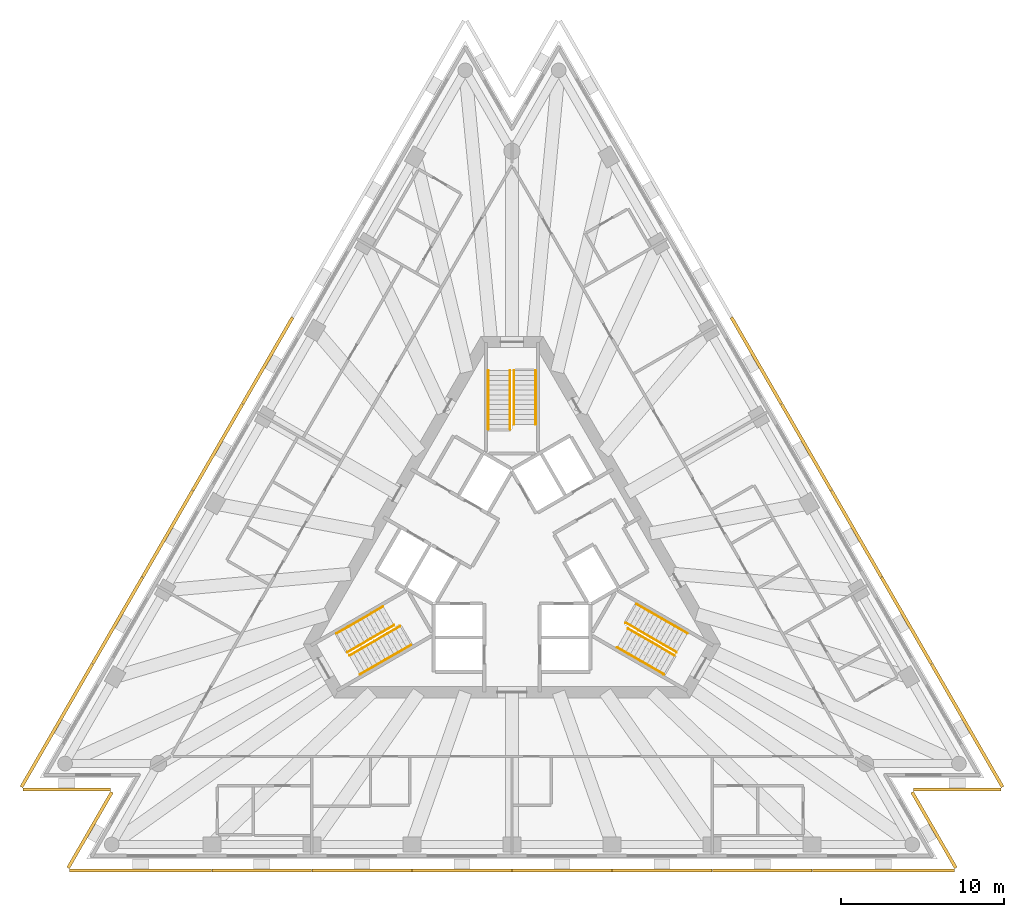
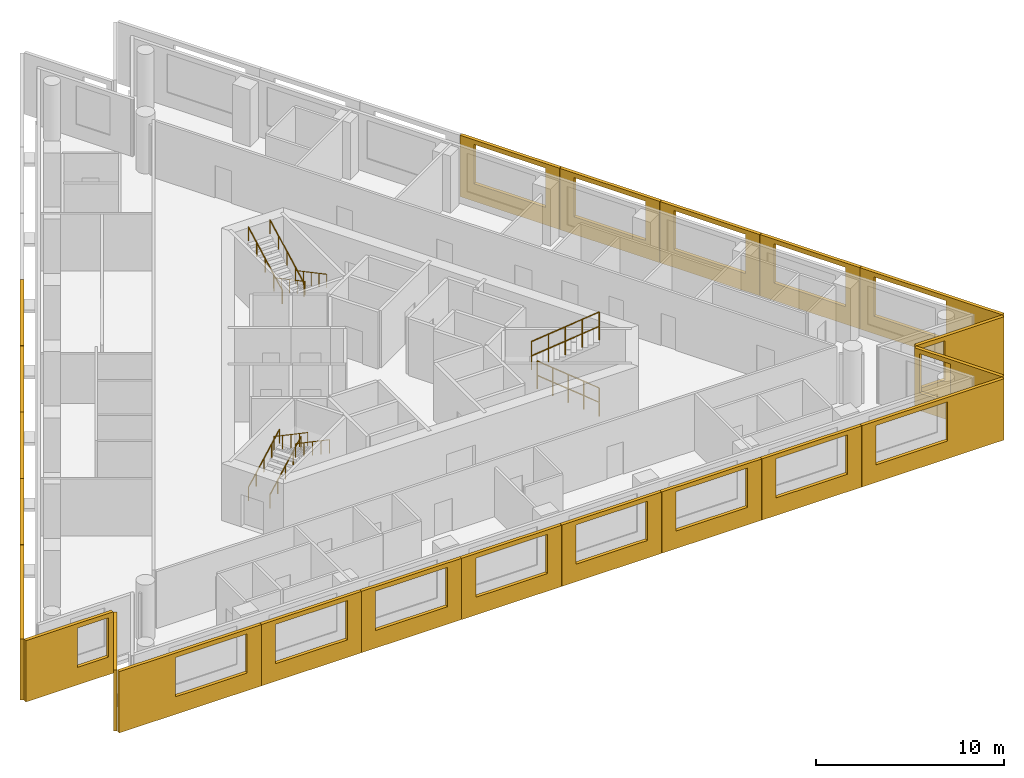
# One storey, part 8 of 9: 22 shading devices, 12 railings, 3 elements without a shape of their own.
"""IFC4 building model written with IfcOpenShell, lengths in metres."""

from ifc_helpers import new_model, si_unit, direction, frame, origin, origin_2d, place, context, subcontext, project, spatial, polyline, circle, outline, extrude, material, layer, layer_set, type_object, element, aggregate, save


model = new_model("IFC4")

# Units and contexts
model_context = context("Model", 3, precision=1e-05, world=origin(), true_north=direction((0.0, 1.0)))
body_context = subcontext(model_context, "Body", "Model", "MODEL_VIEW")
ifc_project = project(units=[si_unit("LENGTHUNIT", "METRE"), si_unit("AREAUNIT", "SQUARE_METRE"), si_unit("VOLUMEUNIT", "CUBIC_METRE"), si_unit("PLANEANGLEUNIT", "RADIAN"), si_unit("MASSUNIT", "GRAM", prefix="KILO")], contexts=[model_context])

# Site, building, storey
site_placement = place(None, origin())
site = spatial("IfcSite", under=ifc_project, at=site_placement, CompositionType="ELEMENT")
building_placement = place(site_placement, origin())
building = spatial("IfcBuilding", under=site, at=building_placement, Name="Triada Interchange Tower", CompositionType="ELEMENT")
storey_placement = place(building_placement, frame((0.0, 0.0, 203.300048828125)))
storey = spatial("IfcBuildingStorey", under=building, at=storey_placement, Name="L47", CompositionType="ELEMENT", Elevation=203.300048828125)

# Shading devices
ifc_material_1 = material(Name="Concrete C50/60 precast", Category="concrete")
ifc_layer_1 = layer(ifc_material_1, 0.02001953125, Name="Exposed aggregate face")
ifc_layer_2 = layer(ifc_material_1, 0.179931640625, Name="Precast concrete screen")
ifc_layer_set = layer_set([ifc_layer_1, ifc_layer_2], Name="Outer skin screen panel 3980")
shading_device_type = type_object("IfcShadingDeviceType", Name="Outer skin screen panel 3980", PredefinedType="SHUTTER", material=ifc_layer_set)
shading_device_1_placement = place(storey_placement, frame((-13.388916015625, 14.81298828125, -0.2900390625), z_axis=(0.0, 0.0, 1.0), x_axis=(-0.500160695909, -0.865932606077, 0.0)))
element("IfcShadingDevice", 1, at=shading_device_1_placement, inside=storey, type_object=shading_device_type, Name="Outer skin screen panel L47 04", PredefinedType="SHUTTER", context=body_context, shape_type="SweptSolid", body=[
    extrude(outline(polyline([(0.0, 0.0), (6.1240234375, 0.0), (6.1240234375, 3.97998046875), (0.0, 3.97998046875), (0.0, 0.0)]), holes=[polyline([(0.862060546875, 1.139892578125), (0.862060546875, 3.68994140625), (5.261962890625, 3.68994140625), (5.261962890625, 1.139892578125), (0.862060546875, 1.139892578125)])]), frame((0.0, 0.0, 0.0), z_axis=(0.0, -1.0, 0.0), x_axis=(1.0, 0.0, 0.0)), (0.0, 0.0, 1.0), 0.199951171875),
])
shading_device_2_placement = place(storey_placement, frame((-16.4619140625, 9.491943359375, -0.2900390625), z_axis=(0.0, 0.0, 1.0), x_axis=(-0.500041108788, -0.866001668314, 0.0)))
element("IfcShadingDevice", 2, at=shading_device_2_placement, inside=storey, type_object=shading_device_type, Name="Outer skin screen panel L47 05", PredefinedType="SHUTTER", context=body_context, shape_type="SweptSolid", body=[
    extrude(outline(polyline([(0.0, 0.0), (6.12353515625, 0.0), (6.12353515625, 3.97998046875), (0.0, 3.97998046875), (0.0, 0.0)]), holes=[polyline([(0.86181640625, 1.139892578125), (0.86181640625, 3.68994140625), (5.26171875, 3.68994140625), (5.26171875, 1.139892578125), (0.86181640625, 1.139892578125)])]), frame((0.0, 0.0, 0.0), z_axis=(0.0, -1.0, 0.0), x_axis=(1.0, 0.0, 0.0)), (0.0, 0.0, 1.0), 0.199951171875),
])
shading_device_3_placement = place(storey_placement, frame((-19.533935546875, 4.1708984375, -0.2900390625), z_axis=(0.0, 0.0, 1.0), x_axis=(-0.500041108788, -0.866001668314, 0.0)))
element("IfcShadingDevice", 3, at=shading_device_3_placement, inside=storey, type_object=shading_device_type, Name="Outer skin screen panel L47 06", PredefinedType="SHUTTER", context=body_context, shape_type="SweptSolid", body=[
    extrude(outline(polyline([(0.0, 0.0), (6.12353515625, 0.0), (6.12353515625, 3.97998046875), (0.0, 3.97998046875), (0.0, 0.0)]), holes=[polyline([(0.861572265625, 1.139892578125), (0.861572265625, 3.68994140625), (5.26171875, 3.68994140625), (5.26171875, 1.139892578125), (0.861572265625, 1.139892578125)])]), frame((0.0, 0.0, 0.0), z_axis=(0.0, -1.0, 0.0), x_axis=(1.0, 0.0, 0.0)), (0.0, 0.0, 1.0), 0.199951171875),
])
shading_device_4_placement = place(storey_placement, frame((-22.60595703125, -1.14990234375, -0.2900390625), z_axis=(0.0, 0.0, 1.0), x_axis=(-0.500041108788, -0.866001668314, 0.0)))
element("IfcShadingDevice", 4, at=shading_device_4_placement, inside=storey, type_object=shading_device_type, Name="Outer skin screen panel L47 07", PredefinedType="SHUTTER", context=body_context, shape_type="SweptSolid", body=[
    extrude(outline(polyline([(0.0, 0.0), (6.12353515625, 0.0), (6.12353515625, 3.97998046875), (0.0, 3.97998046875), (0.0, 0.0)]), holes=[polyline([(0.8623046875, 1.139892578125), (0.8623046875, 3.68994140625), (5.262451171875, 3.68994140625), (5.262451171875, 1.139892578125), (0.8623046875, 1.139892578125)])]), frame((0.0, 0.0, 0.0), z_axis=(0.0, -1.0, 0.0), x_axis=(1.0, 0.0, 0.0)), (0.0, 0.0, 1.0), 0.199951171875),
])
shading_device_5_placement = place(storey_placement, frame((-25.677978515625, -6.470947265625, -0.2900390625), z_axis=(0.0, 0.0, 1.0), x_axis=(-0.500031800419, -0.866007043025, 0.0)))
element("IfcShadingDevice", 5, at=shading_device_5_placement, inside=storey, type_object=shading_device_type, Name="Outer skin screen panel L47 08", PredefinedType="SHUTTER", context=body_context, shape_type="SweptSolid", body=[
    extrude(outline(polyline([(0.0, 0.0), (8.7216796875, 0.0), (8.7216796875, 3.97998046875), (0.0, 3.97998046875), (0.0, 0.0)]), holes=[polyline([(0.8623046875, 1.139892578125), (0.8623046875, 3.68994140625), (5.26220703125, 3.68994140625), (5.26220703125, 1.139892578125), (0.8623046875, 1.139892578125)])]), frame((0.0, 0.0, 0.0), z_axis=(0.0, -1.0, 0.0), x_axis=(1.0, 0.0, 0.0)), (0.0, 0.0, 1.0), 0.199951171875),
])
shading_device_6_placement = place(storey_placement, frame((-30.033935546875, -14.032958984375, -0.2900390625), z_axis=(0.0, 0.0, 1.0), x_axis=(1.0, 0.0, 0.0)))
element("IfcShadingDevice", 6, at=shading_device_6_placement, inside=storey, type_object=shading_device_type, Name="Outer skin screen panel L47 09", PredefinedType="SHUTTER", context=body_context, shape_type="SweptSolid", body=[
    extrude(outline(polyline([(0.0, 0.0), (5.370849609375, 0.0), (5.370849609375, 3.97998046875), (0.0, 3.97998046875), (0.0, 0.0)]), holes=[polyline([(3.175048828125, 1.139892578125), (3.175048828125, 3.68994140625), (5.071044921875, 3.68994140625), (5.071044921875, 1.139892578125), (3.175048828125, 1.139892578125)])]), frame((0.0, 0.0, 0.0), z_axis=(0.0, -1.0, 0.0), x_axis=(1.0, 0.0, 0.0)), (0.0, 0.0, 1.0), 0.199951171875),
])
shading_device_7_placement = place(storey_placement, frame((-24.485107421875, -14.342041015625, -0.2900390625), z_axis=(0.0, 0.0, 1.0), x_axis=(-0.499948082557, -0.866055376259, 0.0)))
element("IfcShadingDevice", 7, at=shading_device_7_placement, inside=storey, type_object=shading_device_type, Name="Outer skin screen panel L47 10", PredefinedType="SHUTTER", context=body_context, shape_type="SweptSolid", body=[
    extrude(outline(polyline([(0.0, 0.0), (5.3701171875, 0.0), (5.3701171875, 3.97998046875), (0.0, 3.97998046875), (0.0, 0.0)]), holes=[polyline([(0.300048828125, 1.139892578125), (0.300048828125, 3.68994140625), (1.7578125, 3.68994140625), (1.7578125, 1.139892578125), (0.300048828125, 1.139892578125)])]), frame((0.0, 0.0, 0.0), z_axis=(0.0, -1.0, 0.0), x_axis=(1.0, 0.0, 0.0)), (0.0, 0.0, 1.0), 0.199951171875),
])
shading_device_8_placement = place(storey_placement, frame((-27.1650390625, -19.001953125, -0.2900390625), z_axis=(0.0, 0.0, 1.0), x_axis=(1.0, 0.0, 0.0)))
element("IfcShadingDevice", 8, at=shading_device_8_placement, inside=storey, type_object=shading_device_type, Name="Outer skin screen panel L47 11", PredefinedType="SHUTTER", context=body_context, shape_type="SweptSolid", body=[
    extrude(outline(polyline([(0.0, 0.0), (8.721923828125, 0.0), (8.721923828125, 3.97998046875), (0.0, 3.97998046875), (0.0, 0.0)]), holes=[polyline([(3.4599609375, 1.139892578125), (3.4599609375, 3.68994140625), (7.860107421875, 3.68994140625), (7.860107421875, 1.139892578125), (3.4599609375, 1.139892578125)])]), frame((0.0, 0.0, 0.0), z_axis=(0.0, -1.0, 0.0), x_axis=(1.0, 0.0, 0.0)), (0.0, 0.0, 1.0), 0.199951171875),
])
shading_device_9_placement = place(storey_placement, frame((-18.423095703125, -19.001953125, -0.2900390625), z_axis=(0.0, 0.0, 1.0), x_axis=(1.0, 0.0, 0.0)))
element("IfcShadingDevice", 9, at=shading_device_9_placement, inside=storey, type_object=shading_device_type, Name="Outer skin screen panel L47 12", PredefinedType="SHUTTER", context=body_context, shape_type="SweptSolid", body=[
    extrude(outline(polyline([(0.0, 0.0), (6.125, 0.0), (6.125, 3.97998046875), (0.0, 3.97998046875), (0.0, 0.0)]), holes=[polyline([(0.86181640625, 1.139892578125), (0.86181640625, 3.68994140625), (5.26171875, 3.68994140625), (5.26171875, 1.139892578125), (0.86181640625, 1.139892578125)])]), frame((0.0, 0.0, 0.0), z_axis=(0.0, -1.0, 0.0), x_axis=(1.0, 0.0, 0.0)), (0.0, 0.0, 1.0), 0.199951171875),
])
shading_device_10_placement = place(storey_placement, frame((-12.279052734375, -19.001953125, -0.2900390625), z_axis=(0.0, 0.0, 1.0), x_axis=(1.0, 0.0, 0.0)))
element("IfcShadingDevice", 10, at=shading_device_10_placement, inside=storey, type_object=shading_device_type, Name="Outer skin screen panel L47 13", PredefinedType="SHUTTER", context=body_context, shape_type="SweptSolid", body=[
    extrude(outline(polyline([(0.0, 0.0), (6.125, 0.0), (6.125, 3.97998046875), (0.0, 3.97998046875), (0.0, 0.0)]), holes=[polyline([(0.862548828125, 1.139892578125), (0.862548828125, 3.68994140625), (5.262451171875, 3.68994140625), (5.262451171875, 1.139892578125), (0.862548828125, 1.139892578125)])]), frame((0.0, 0.0, 0.0), z_axis=(0.0, -1.0, 0.0), x_axis=(1.0, 0.0, 0.0)), (0.0, 0.0, 1.0), 0.199951171875),
])
shading_device_11_placement = place(storey_placement, frame((-6.134033203125, -19.001953125, -0.2900390625), z_axis=(0.0, 0.0, 1.0), x_axis=(1.0, 0.0, 0.0)))
element("IfcShadingDevice", 11, at=shading_device_11_placement, inside=storey, type_object=shading_device_type, Name="Outer skin screen panel L47 14", PredefinedType="SHUTTER", context=body_context, shape_type="SweptSolid", body=[
    extrude(outline(polyline([(0.0, 0.0), (6.1240234375, 0.0), (6.1240234375, 3.97998046875), (0.0, 3.97998046875), (0.0, 0.0)]), holes=[polyline([(0.8623046875, 1.139892578125), (0.8623046875, 3.68994140625), (5.26220703125, 3.68994140625), (5.26220703125, 1.139892578125), (0.8623046875, 1.139892578125)])]), frame((0.0, 0.0, 0.0), z_axis=(0.0, -1.0, 0.0), x_axis=(1.0, 0.0, 0.0)), (0.0, 0.0, 1.0), 0.199951171875),
])
shading_device_12_placement = place(storey_placement, frame((0.010009765625, -19.001953125, -0.2900390625), z_axis=(0.0, 0.0, 1.0), x_axis=(1.0, 0.0, 0.0)))
element("IfcShadingDevice", 12, at=shading_device_12_placement, inside=storey, type_object=shading_device_type, Name="Outer skin screen panel L47 15", PredefinedType="SHUTTER", context=body_context, shape_type="SweptSolid", body=[
    extrude(outline(polyline([(0.0, 0.0), (6.1240234375, 0.0), (6.1240234375, 3.97998046875), (0.0, 3.97998046875), (0.0, 0.0)]), holes=[polyline([(0.862060546875, 1.139892578125), (0.862060546875, 3.68994140625), (5.261962890625, 3.68994140625), (5.261962890625, 1.139892578125), (0.862060546875, 1.139892578125)])]), frame((0.0, 0.0, 0.0), z_axis=(0.0, -1.0, 0.0), x_axis=(1.0, 0.0, 0.0)), (0.0, 0.0, 1.0), 0.199951171875),
])
shading_device_13_placement = place(storey_placement, frame((6.154052734375, -19.001953125, -0.2900390625), z_axis=(0.0, 0.0, 1.0), x_axis=(1.0, 0.0, 0.0)))
element("IfcShadingDevice", 13, at=shading_device_13_placement, inside=storey, type_object=shading_device_type, Name="Outer skin screen panel L47 16", PredefinedType="SHUTTER", context=body_context, shape_type="SweptSolid", body=[
    extrude(outline(polyline([(0.0, 0.0), (6.125, 0.0), (6.125, 3.97998046875), (0.0, 3.97998046875), (0.0, 0.0)]), holes=[polyline([(0.86181640625, 1.139892578125), (0.86181640625, 3.68994140625), (5.26171875, 3.68994140625), (5.26171875, 1.139892578125), (0.86181640625, 1.139892578125)])]), frame((0.0, 0.0, 0.0), z_axis=(0.0, -1.0, 0.0), x_axis=(1.0, 0.0, 0.0)), (0.0, 0.0, 1.0), 0.199951171875),
])
shading_device_14_placement = place(storey_placement, frame((12.298095703125, -19.001953125, -0.2900390625), z_axis=(0.0, 0.0, 1.0), x_axis=(1.0, 0.0, 0.0)))
element("IfcShadingDevice", 14, at=shading_device_14_placement, inside=storey, type_object=shading_device_type, Name="Outer skin screen panel L47 17", PredefinedType="SHUTTER", context=body_context, shape_type="SweptSolid", body=[
    extrude(outline(polyline([(0.0, 0.0), (6.125, 0.0), (6.125, 3.97998046875), (0.0, 3.97998046875), (0.0, 0.0)]), holes=[polyline([(0.862548828125, 1.139892578125), (0.862548828125, 3.68994140625), (5.262451171875, 3.68994140625), (5.262451171875, 1.139892578125), (0.862548828125, 1.139892578125)])]), frame((0.0, 0.0, 0.0), z_axis=(0.0, -1.0, 0.0), x_axis=(1.0, 0.0, 0.0)), (0.0, 0.0, 1.0), 0.199951171875),
])
shading_device_15_placement = place(storey_placement, frame((18.443115234375, -19.001953125, -0.2900390625), z_axis=(0.0, 0.0, 1.0), x_axis=(1.0, 0.0, 0.0)))
element("IfcShadingDevice", 15, at=shading_device_15_placement, inside=storey, type_object=shading_device_type, Name="Outer skin screen panel L47 18", PredefinedType="SHUTTER", context=body_context, shape_type="SweptSolid", body=[
    extrude(outline(polyline([(0.0, 0.0), (8.721923828125, 0.0), (8.721923828125, 3.97998046875), (0.0, 3.97998046875), (0.0, 0.0)]), holes=[polyline([(0.8623046875, 1.139892578125), (0.8623046875, 3.68994140625), (5.26220703125, 3.68994140625), (5.26220703125, 1.139892578125), (0.8623046875, 1.139892578125)])]), frame((0.0, 0.0, 0.0), z_axis=(0.0, -1.0, 0.0), x_axis=(1.0, 0.0, 0.0)), (0.0, 0.0, 1.0), 0.199951171875),
])
shading_device_16_placement = place(storey_placement, frame((27.169921875, -18.992919921875, -0.2900390625), z_axis=(0.0, 0.0, 1.0), x_axis=(-0.499948082557, 0.866055376259, 0.0)))
element("IfcShadingDevice", 16, at=shading_device_16_placement, inside=storey, type_object=shading_device_type, Name="Outer skin screen panel L47 19", PredefinedType="SHUTTER", context=body_context, shape_type="SweptSolid", body=[
    extrude(outline(polyline([(0.0, 0.0), (5.3701171875, 0.0), (5.3701171875, 3.97998046875), (0.0, 3.97998046875), (0.0, 0.0)]), holes=[polyline([(3.17529296875, 1.139892578125), (3.17529296875, 3.68994140625), (5.071044921875, 3.68994140625), (5.071044921875, 1.139892578125), (3.17529296875, 1.139892578125)])]), frame((0.0, 0.0, 0.0), z_axis=(0.0, -1.0, 0.0), x_axis=(1.0, 0.0, 0.0)), (0.0, 0.0, 1.0), 0.199951171875),
])
shading_device_17_placement = place(storey_placement, frame((24.6630859375, -14.032958984375, -0.2900390625), z_axis=(0.0, 0.0, 1.0), x_axis=(1.0, 0.0, 0.0)))
element("IfcShadingDevice", 17, at=shading_device_17_placement, inside=storey, type_object=shading_device_type, Name="Outer skin screen panel L47 20", PredefinedType="SHUTTER", context=body_context, shape_type="SweptSolid", body=[
    extrude(outline(polyline([(0.0, 0.0), (5.370849609375, 0.0), (5.370849609375, 3.97998046875), (0.0, 3.97998046875), (0.0, 0.0)]), holes=[polyline([(0.300048828125, 1.139892578125), (0.300048828125, 3.68994140625), (1.758056640625, 3.68994140625), (1.758056640625, 1.139892578125), (0.300048828125, 1.139892578125)])]), frame((0.0, 0.0, 0.0), z_axis=(0.0, -1.0, 0.0), x_axis=(1.0, 0.0, 0.0)), (0.0, 0.0, 1.0), 0.199951171875),
])
shading_device_18_placement = place(storey_placement, frame((30.0390625, -14.02392578125, -0.2900390625), z_axis=(0.0, 0.0, 1.0), x_axis=(-0.500031800419, 0.866007043025, 0.0)))
element("IfcShadingDevice", 18, at=shading_device_18_placement, inside=storey, type_object=shading_device_type, Name="Outer skin screen panel L47 21", PredefinedType="SHUTTER", context=body_context, shape_type="SweptSolid", body=[
    extrude(outline(polyline([(0.0, 0.0), (8.7216796875, 0.0), (8.7216796875, 3.97998046875), (0.0, 3.97998046875), (0.0, 0.0)]), holes=[polyline([(3.460205078125, 1.139892578125), (3.460205078125, 3.68994140625), (7.8603515625, 3.68994140625), (7.8603515625, 1.139892578125), (3.460205078125, 1.139892578125)])]), frame((0.0, 0.0, 0.0), z_axis=(0.0, -1.0, 0.0), x_axis=(1.0, 0.0, 0.0)), (0.0, 0.0, 1.0), 0.199951171875),
])
shading_device_19_placement = place(storey_placement, frame((25.66796875, -6.452880859375, -0.2900390625), z_axis=(0.0, 0.0, 1.0), x_axis=(-0.500041108788, 0.866001668314, 0.0)))
element("IfcShadingDevice", 19, at=shading_device_19_placement, inside=storey, type_object=shading_device_type, Name="Outer skin screen panel L47 22", PredefinedType="SHUTTER", context=body_context, shape_type="SweptSolid", body=[
    extrude(outline(polyline([(0.0, 0.0), (6.12353515625, 0.0), (6.12353515625, 3.97998046875), (0.0, 3.97998046875), (0.0, 0.0)]), holes=[polyline([(0.862060546875, 1.139892578125), (0.862060546875, 3.68994140625), (5.261962890625, 3.68994140625), (5.261962890625, 1.139892578125), (0.862060546875, 1.139892578125)])]), frame((0.0, 0.0, 0.0), z_axis=(0.0, -1.0, 0.0), x_axis=(1.0, 0.0, 0.0)), (0.0, 0.0, 1.0), 0.199951171875),
])
shading_device_20_placement = place(storey_placement, frame((22.595947265625, -1.132080078125, -0.2900390625), z_axis=(0.0, 0.0, 1.0), x_axis=(-0.500041108788, 0.866001668314, 0.0)))
element("IfcShadingDevice", 20, at=shading_device_20_placement, inside=storey, type_object=shading_device_type, Name="Outer skin screen panel L47 23", PredefinedType="SHUTTER", context=body_context, shape_type="SweptSolid", body=[
    extrude(outline(polyline([(0.0, 0.0), (6.12353515625, 0.0), (6.12353515625, 3.97998046875), (0.0, 3.97998046875), (0.0, 0.0)]), holes=[polyline([(0.86181640625, 1.139892578125), (0.86181640625, 3.68994140625), (5.261962890625, 3.68994140625), (5.261962890625, 1.139892578125), (0.86181640625, 1.139892578125)])]), frame((0.0, 0.0, 0.0), z_axis=(0.0, -1.0, 0.0), x_axis=(1.0, 0.0, 0.0)), (0.0, 0.0, 1.0), 0.199951171875),
])
shading_device_21_placement = place(storey_placement, frame((19.52392578125, 4.18896484375, -0.2900390625), z_axis=(0.0, 0.0, 1.0), x_axis=(-0.500041108788, 0.866001668314, 0.0)))
element("IfcShadingDevice", 21, at=shading_device_21_placement, inside=storey, type_object=shading_device_type, Name="Outer skin screen panel L47 24", PredefinedType="SHUTTER", context=body_context, shape_type="SweptSolid", body=[
    extrude(outline(polyline([(0.0, 0.0), (6.12353515625, 0.0), (6.12353515625, 3.97998046875), (0.0, 3.97998046875), (0.0, 0.0)]), holes=[polyline([(0.86181640625, 1.139892578125), (0.86181640625, 3.68994140625), (5.26171875, 3.68994140625), (5.26171875, 1.139892578125), (0.86181640625, 1.139892578125)])]), frame((0.0, 0.0, 0.0), z_axis=(0.0, -1.0, 0.0), x_axis=(1.0, 0.0, 0.0)), (0.0, 0.0, 1.0), 0.199951171875),
])
shading_device_22_placement = place(storey_placement, frame((16.451904296875, 9.510009765625, -0.2900390625), z_axis=(0.0, 0.0, 1.0), x_axis=(-0.500160695909, 0.865932606077, 0.0)))
element("IfcShadingDevice", 22, at=shading_device_22_placement, inside=storey, type_object=shading_device_type, Name="Outer skin screen panel L47 25", PredefinedType="SHUTTER", context=body_context, shape_type="SweptSolid", body=[
    extrude(outline(polyline([(0.0, 0.0), (6.1240234375, 0.0), (6.1240234375, 3.97998046875), (0.0, 3.97998046875), (0.0, 0.0)]), holes=[polyline([(0.862548828125, 1.139892578125), (0.862548828125, 3.68994140625), (5.262451171875, 3.68994140625), (5.262451171875, 1.139892578125), (0.862548828125, 1.139892578125)])]), frame((0.0, 0.0, 0.0), z_axis=(0.0, -1.0, 0.0), x_axis=(1.0, 0.0, 0.0)), (0.0, 0.0, 1.0), 0.199951171875),
])

# Stair, railings
ifc_material_2 = material(Name="Concrete C35/45", Category="concrete")
stair_type = type_object("IfcStairType", Name="HALF TURN STAIR 1400", PredefinedType="HALF_TURN_STAIR", material=ifc_material_2)
stair_1_placement = place(storey_placement, origin())
stair_1 = element("IfcStair", 23, at=stair_1_placement, inside=storey, type_object=stair_type, Name="Exit stair S47-1", PredefinedType="HALF_TURN_STAIR")
ifc_material_3 = material(Name="Stainless steel 1.4301", Category="steel")
railing_type = type_object("IfcRailingType", Name="STAIR HANDRAIL 900", PredefinedType="HANDRAIL", material=ifc_material_3)
railing_1_placement = place(storey_placement, frame((1.449951171875, 11.60009765625, 0.159912109375)))
railing_1 = element("IfcRailing", 24, at=railing_1_placement, type_object=railing_type, Name="Handrail S47-1 1W", PredefinedType="HANDRAIL", context=body_context, shape_type="SweptSolid", body=[
    extrude(circle(Radius=0.02392578125, at=origin_2d()), frame((0.0, 0.0, 0.8759765625), z_axis=(0.0, -0.882354748157, 0.47058484719), x_axis=(1.0, 0.0, 0.0)), (0.0, 0.0, 1.0), 3.739990234375),
    extrude(circle(Radius=0.02099609375, at=origin_2d()), origin(), (0.0, 0.0, 1.0), 0.851806640625),
    extrude(circle(Radius=0.02099609375, at=origin_2d()), frame((0.0, -0.824951171875, 0.43994140625)), (0.0, 0.0, 1.0), 0.851806640625),
    extrude(circle(Radius=0.02099609375, at=origin_2d()), frame((0.0, -1.64990234375, 0.8798828125)), (0.0, 0.0, 1.0), 0.851806640625),
    extrude(circle(Radius=0.02099609375, at=origin_2d()), frame((0.0, -2.47509765625, 1.320068359375)), (0.0, 0.0, 1.0), 0.851806640625),
    extrude(circle(Radius=0.02099609375, at=origin_2d()), frame((0.0, -3.300048828125, 1.760009765625)), (0.0, 0.0, 1.0), 0.851806640625),
])
railing_2_placement = place(storey_placement, frame((0.1201171875, 11.60009765625, 0.159912109375)))
railing_2 = element("IfcRailing", 25, at=railing_2_placement, type_object=railing_type, Name="Handrail S47-1 1C", PredefinedType="HANDRAIL", context=body_context, shape_type="SweptSolid", body=[
    extrude(circle(Radius=0.02392578125, at=origin_2d()), frame((0.0, 0.0, 0.8759765625), z_axis=(0.0, -0.882354748157, 0.47058484719), x_axis=(1.0, 0.0, 0.0)), (0.0, 0.0, 1.0), 3.739990234375),
    extrude(circle(Radius=0.02099609375, at=origin_2d()), origin(), (0.0, 0.0, 1.0), 0.851806640625),
    extrude(circle(Radius=0.02099609375, at=origin_2d()), frame((0.0, -0.824951171875, 0.43994140625)), (0.0, 0.0, 1.0), 0.851806640625),
    extrude(circle(Radius=0.02099609375, at=origin_2d()), frame((0.0, -1.64990234375, 0.8798828125)), (0.0, 0.0, 1.0), 0.851806640625),
    extrude(circle(Radius=0.02099609375, at=origin_2d()), frame((0.0, -2.47509765625, 1.320068359375)), (0.0, 0.0, 1.0), 0.851806640625),
    extrude(circle(Radius=0.02099609375, at=origin_2d()), frame((0.0, -3.300048828125, 1.760009765625)), (0.0, 0.0, 1.0), 0.851806640625),
])
railing_3_placement = place(storey_placement, frame((-1.449951171875, 8.0, 2.079833984375)))
railing_3 = element("IfcRailing", 26, at=railing_3_placement, type_object=railing_type, Name="Handrail S47-1 2W", PredefinedType="HANDRAIL", context=body_context, shape_type="SweptSolid", body=[
    extrude(circle(Radius=0.02392578125, at=origin_2d()), frame((0.0, 0.0, 0.8759765625), z_axis=(0.0, 0.882341346394, 0.470609974867), x_axis=(-1.0, 0.0, 0.0)), (0.0, 0.0, 1.0), 4.080078125),
    extrude(circle(Radius=0.02099609375, at=origin_2d()), origin(), (0.0, 0.0, 1.0), 0.851806640625),
    extrude(circle(Radius=0.02099609375, at=origin_2d()), frame((0.0, 0.89990234375, 0.47998046875)), (0.0, 0.0, 1.0), 0.851806640625),
    extrude(circle(Radius=0.02099609375, at=origin_2d()), frame((0.0, 1.800048828125, 0.9599609375)), (0.0, 0.0, 1.0), 0.851806640625),
    extrude(circle(Radius=0.02099609375, at=origin_2d()), frame((0.0, 2.7001953125, 1.440185546875)), (0.0, 0.0, 1.0), 0.851806640625),
    extrude(circle(Radius=0.02099609375, at=origin_2d()), frame((0.0, 3.60009765625, 1.920166015625)), (0.0, 0.0, 1.0), 0.851806640625),
])
railing_4_placement = place(storey_placement, frame((-0.1201171875, 8.0, 2.079833984375)))
railing_4 = element("IfcRailing", 27, at=railing_4_placement, type_object=railing_type, Name="Handrail S47-1 2C", PredefinedType="HANDRAIL", context=body_context, shape_type="SweptSolid", body=[
    extrude(circle(Radius=0.02392578125, at=origin_2d()), frame((0.0, 0.0, 0.8759765625), z_axis=(0.0, 0.882341346394, 0.470609974867), x_axis=(-1.0, 0.0, 0.0)), (0.0, 0.0, 1.0), 4.080078125),
    extrude(circle(Radius=0.02099609375, at=origin_2d()), origin(), (0.0, 0.0, 1.0), 0.851806640625),
    extrude(circle(Radius=0.02099609375, at=origin_2d()), frame((0.0, 0.89990234375, 0.47998046875)), (0.0, 0.0, 1.0), 0.851806640625),
    extrude(circle(Radius=0.02099609375, at=origin_2d()), frame((0.0, 1.800048828125, 0.9599609375)), (0.0, 0.0, 1.0), 0.851806640625),
    extrude(circle(Radius=0.02099609375, at=origin_2d()), frame((0.0, 2.7001953125, 1.440185546875)), (0.0, 0.0, 1.0), 0.851806640625),
    extrude(circle(Radius=0.02099609375, at=origin_2d()), frame((0.0, 3.60009765625, 1.920166015625)), (0.0, 0.0, 1.0), 0.851806640625),
])
aggregate(stair_1, [railing_1, railing_2, railing_3, railing_4])

stair_2_placement = place(storey_placement, origin())
stair_2 = element("IfcStair", 28, at=stair_2_placement, inside=storey, type_object=stair_type, Name="Exit stair S47-2", PredefinedType="HALF_TURN_STAIR")
railing_5_placement = place(storey_placement, frame((-10.77099609375, -4.5439453125, 0.159912109375)))
railing_5 = element("IfcRailing", 29, at=railing_5_placement, type_object=railing_type, Name="Handrail S47-2 1W", PredefinedType="HANDRAIL", context=body_context, shape_type="SweptSolid", body=[
    extrude(circle(Radius=0.02392578125, at=origin_2d()), frame((0.0, 0.0, 0.8759765625), z_axis=(0.764150854273, 0.441152526326, 0.470593158077), x_axis=(-0.499974350878, 0.866040211805, 0.0)), (0.0, 0.0, 1.0), 3.739990234375),
    extrude(circle(Radius=0.02099609375, at=origin_2d()), origin(), (0.0, 0.0, 1.0), 0.851806640625),
    extrude(circle(Radius=0.02099609375, at=origin_2d()), frame((0.71435546875, 0.41259765625, 0.43994140625)), (0.0, 0.0, 1.0), 0.851806640625),
    extrude(circle(Radius=0.02099609375, at=origin_2d()), frame((1.428955078125, 0.824951171875, 0.8798828125)), (0.0, 0.0, 1.0), 0.851806640625),
    extrude(circle(Radius=0.02099609375, at=origin_2d()), frame((2.1435546875, 1.2373046875, 1.320068359375)), (0.0, 0.0, 1.0), 0.851806640625),
    extrude(circle(Radius=0.02099609375, at=origin_2d()), frame((2.85791015625, 1.64990234375, 1.760009765625)), (0.0, 0.0, 1.0), 0.851806640625),
])
railing_6_placement = place(storey_placement, frame((-10.10595703125, -5.696044921875, 0.159912109375)))
railing_6 = element("IfcRailing", 30, at=railing_6_placement, type_object=railing_type, Name="Handrail S47-2 1C", PredefinedType="HANDRAIL", context=body_context, shape_type="SweptSolid", body=[
    extrude(circle(Radius=0.02392578125, at=origin_2d()), frame((0.0, 0.0, 0.8759765625), z_axis=(0.76412884773, 0.441205098395, 0.470579605611), x_axis=(-0.50002983664, 0.866008176907, 0.0)), (0.0, 0.0, 1.0), 3.739990234375),
    extrude(circle(Radius=0.02099609375, at=origin_2d()), origin(), (0.0, 0.0, 1.0), 0.851806640625),
    extrude(circle(Radius=0.02099609375, at=origin_2d()), frame((0.71435546875, 0.41259765625, 0.43994140625)), (0.0, 0.0, 1.0), 0.851806640625),
    extrude(circle(Radius=0.02099609375, at=origin_2d()), frame((1.428955078125, 0.8251953125, 0.8798828125)), (0.0, 0.0, 1.0), 0.851806640625),
    extrude(circle(Radius=0.02099609375, at=origin_2d()), frame((2.1435546875, 1.237548828125, 1.320068359375)), (0.0, 0.0, 1.0), 0.851806640625),
    extrude(circle(Radius=0.02099609375, at=origin_2d()), frame((2.85791015625, 1.650146484375, 1.760009765625)), (0.0, 0.0, 1.0), 0.851806640625),
])
railing_7_placement = place(storey_placement, frame((-6.202880859375, -5.256103515625, 2.079833984375)))
railing_7 = element("IfcRailing", 31, at=railing_7_placement, type_object=railing_type, Name="Handrail S47-2 2W", PredefinedType="HANDRAIL", context=body_context, shape_type="SweptSolid", body=[
    extrude(circle(Radius=0.02392578125, at=origin_2d()), frame((0.0, 0.0, 0.8759765625), z_axis=(-0.764189758314, -0.441090424232, 0.470588196769), x_axis=(0.499902469156, -0.866081705922, 0.0)), (0.0, 0.0, 1.0), 4.080322265625),
    extrude(circle(Radius=0.02099609375, at=origin_2d()), origin(), (0.0, 0.0, 1.0), 0.851806640625),
    extrude(circle(Radius=0.02099609375, at=origin_2d()), frame((-0.779541015625, -0.449951171875, 0.47998046875)), (0.0, 0.0, 1.0), 0.851806640625),
    extrude(circle(Radius=0.02099609375, at=origin_2d()), frame((-1.55908203125, -0.89990234375, 0.9599609375)), (0.0, 0.0, 1.0), 0.851806640625),
    extrude(circle(Radius=0.02099609375, at=origin_2d()), frame((-2.338623046875, -1.349853515625, 1.440185546875)), (0.0, 0.0, 1.0), 0.851806640625),
    extrude(circle(Radius=0.02099609375, at=origin_2d()), frame((-3.1181640625, -1.7998046875, 1.920166015625)), (0.0, 0.0, 1.0), 0.851806640625),
])
railing_8_placement = place(storey_placement, frame((-6.867919921875, -4.10400390625, 2.079833984375)))
railing_8 = element("IfcRailing", 32, at=railing_8_placement, type_object=railing_type, Name="Handrail S47-2 2C", PredefinedType="HANDRAIL", context=body_context, shape_type="SweptSolid", body=[
    extrude(circle(Radius=0.02392578125, at=origin_2d()), frame((0.0, 0.0, 0.8759765625), z_axis=(-0.764169589359, -0.441138614339, 0.470575776723), x_axis=(0.49995333141, -0.866052346231, 0.0)), (0.0, 0.0, 1.0), 4.08056640625),
    extrude(circle(Radius=0.02099609375, at=origin_2d()), origin(), (0.0, 0.0, 1.0), 0.851806640625),
    extrude(circle(Radius=0.02099609375, at=origin_2d()), frame((-0.779541015625, -0.449951171875, 0.47998046875)), (0.0, 0.0, 1.0), 0.851806640625),
    extrude(circle(Radius=0.02099609375, at=origin_2d()), frame((-1.55908203125, -0.89990234375, 0.9599609375)), (0.0, 0.0, 1.0), 0.851806640625),
    extrude(circle(Radius=0.02099609375, at=origin_2d()), frame((-2.338623046875, -1.35009765625, 1.440185546875)), (0.0, 0.0, 1.0), 0.851806640625),
    extrude(circle(Radius=0.02099609375, at=origin_2d()), frame((-3.1181640625, -1.800048828125, 1.920166015625)), (0.0, 0.0, 1.0), 0.851806640625),
])
aggregate(stair_2, [railing_5, railing_6, railing_7, railing_8])

stair_3_placement = place(storey_placement, origin())
stair_3 = element("IfcStair", 33, at=stair_3_placement, inside=storey, type_object=stair_type, Name="Exit stair S47-3", PredefinedType="HALF_TURN_STAIR")
railing_9_placement = place(storey_placement, frame((9.321044921875, -7.055908203125, 0.159912109375)))
railing_9 = element("IfcRailing", 34, at=railing_9_placement, type_object=railing_type, Name="Handrail S47-3 1W", PredefinedType="HANDRAIL", context=body_context, shape_type="SweptSolid", body=[
    extrude(circle(Radius=0.02392578125, at=origin_2d()), frame((0.0, 0.0, 0.8759765625), z_axis=(-0.764178012919, 0.441130521168, 0.470569684388), x_axis=(-0.499942318283, -0.866058703778, 0.0)), (0.0, 0.0, 1.0), 3.740234375),
    extrude(circle(Radius=0.02099609375, at=origin_2d()), origin(), (0.0, 0.0, 1.0), 0.851806640625),
    extrude(circle(Radius=0.02099609375, at=origin_2d()), frame((-0.714599609375, 0.41259765625, 0.43994140625)), (0.0, 0.0, 1.0), 0.851806640625),
    extrude(circle(Radius=0.02099609375, at=origin_2d()), frame((-1.42919921875, 0.824951171875, 0.8798828125)), (0.0, 0.0, 1.0), 0.851806640625),
    extrude(circle(Radius=0.02099609375, at=origin_2d()), frame((-2.1435546875, 1.2373046875, 1.320068359375)), (0.0, 0.0, 1.0), 0.851806640625),
    extrude(circle(Radius=0.02099609375, at=origin_2d()), frame((-2.858154296875, 1.64990234375, 1.760009765625)), (0.0, 0.0, 1.0), 0.851806640625),
])
railing_10_placement = place(storey_placement, frame((9.986083984375, -5.904052734375, 0.159912109375)))
railing_10 = element("IfcRailing", 35, at=railing_10_placement, type_object=railing_type, Name="Handrail S47-3 1C", PredefinedType="HANDRAIL", context=body_context, shape_type="SweptSolid", body=[
    extrude(circle(Radius=0.02392578125, at=origin_2d()), frame((0.0, 0.0, 0.8759765625), z_axis=(-0.764156007789, 0.441183091881, 0.47055613395), x_axis=(-0.49999780286, -0.8660266723, 0.0)), (0.0, 0.0, 1.0), 3.740234375),
    extrude(circle(Radius=0.02099609375, at=origin_2d()), origin(), (0.0, 0.0, 1.0), 0.851806640625),
    extrude(circle(Radius=0.02099609375, at=origin_2d()), frame((-0.714599609375, 0.41259765625, 0.43994140625)), (0.0, 0.0, 1.0), 0.851806640625),
    extrude(circle(Radius=0.02099609375, at=origin_2d()), frame((-1.42919921875, 0.8251953125, 0.8798828125)), (0.0, 0.0, 1.0), 0.851806640625),
    extrude(circle(Radius=0.02099609375, at=origin_2d()), frame((-2.1435546875, 1.237548828125, 1.320068359375)), (0.0, 0.0, 1.0), 0.851806640625),
    extrude(circle(Radius=0.02099609375, at=origin_2d()), frame((-2.858154296875, 1.650146484375, 1.760009765625)), (0.0, 0.0, 1.0), 0.851806640625),
])
railing_11_placement = place(storey_placement, frame((7.653076171875, -2.743896484375, 2.079833984375)))
railing_11 = element("IfcRailing", 36, at=railing_11_placement, type_object=railing_type, Name="Handrail S47-3 2W", PredefinedType="HANDRAIL", context=body_context, shape_type="SweptSolid", body=[
    extrude(circle(Radius=0.02392578125, at=origin_2d()), frame((0.0, 0.0, 0.8759765625), z_axis=(0.76414469501, -0.441158784458, 0.470597292793), x_axis=(0.499982693035, 0.866035395735, 0.0)), (0.0, 0.0, 1.0), 4.080322265625),
    extrude(circle(Radius=0.02099609375, at=origin_2d()), origin(), (0.0, 0.0, 1.0), 0.851806640625),
    extrude(circle(Radius=0.02099609375, at=origin_2d()), frame((0.779541015625, -0.449951171875, 0.47998046875)), (0.0, 0.0, 1.0), 0.851806640625),
    extrude(circle(Radius=0.02099609375, at=origin_2d()), frame((1.55908203125, -0.89990234375, 0.9599609375)), (0.0, 0.0, 1.0), 0.851806640625),
    extrude(circle(Radius=0.02099609375, at=origin_2d()), frame((2.33837890625, -1.35009765625, 1.440185546875)), (0.0, 0.0, 1.0), 0.851806640625),
    extrude(circle(Radius=0.02099609375, at=origin_2d()), frame((3.117919921875, -1.800048828125, 1.920166015625)), (0.0, 0.0, 1.0), 0.851806640625),
])
railing_12_placement = place(storey_placement, frame((6.988037109375, -3.89599609375, 2.079833984375)))
railing_12 = element("IfcRailing", 37, at=railing_12_placement, type_object=railing_type, Name="Handrail S47-3 2C", PredefinedType="HANDRAIL", context=body_context, shape_type="SweptSolid", body=[
    extrude(circle(Radius=0.02392578125, at=origin_2d()), frame((0.0, 0.0, 0.8759765625), z_axis=(0.76414469501, -0.441158784458, 0.470597292793), x_axis=(0.499982693035, 0.866035395735, 0.0)), (0.0, 0.0, 1.0), 4.080322265625),
    extrude(circle(Radius=0.02099609375, at=origin_2d()), origin(), (0.0, 0.0, 1.0), 0.851806640625),
    extrude(circle(Radius=0.02099609375, at=origin_2d()), frame((0.779541015625, -0.449951171875, 0.47998046875)), (0.0, 0.0, 1.0), 0.851806640625),
    extrude(circle(Radius=0.02099609375, at=origin_2d()), frame((1.55908203125, -0.89990234375, 0.9599609375)), (0.0, 0.0, 1.0), 0.851806640625),
    extrude(circle(Radius=0.02099609375, at=origin_2d()), frame((2.33837890625, -1.35009765625, 1.440185546875)), (0.0, 0.0, 1.0), 0.851806640625),
    extrude(circle(Radius=0.02099609375, at=origin_2d()), frame((3.117919921875, -1.800048828125, 1.920166015625)), (0.0, 0.0, 1.0), 0.851806640625),
])
aggregate(stair_3, [railing_9, railing_10, railing_11, railing_12])

save(model, "model.ifc")
